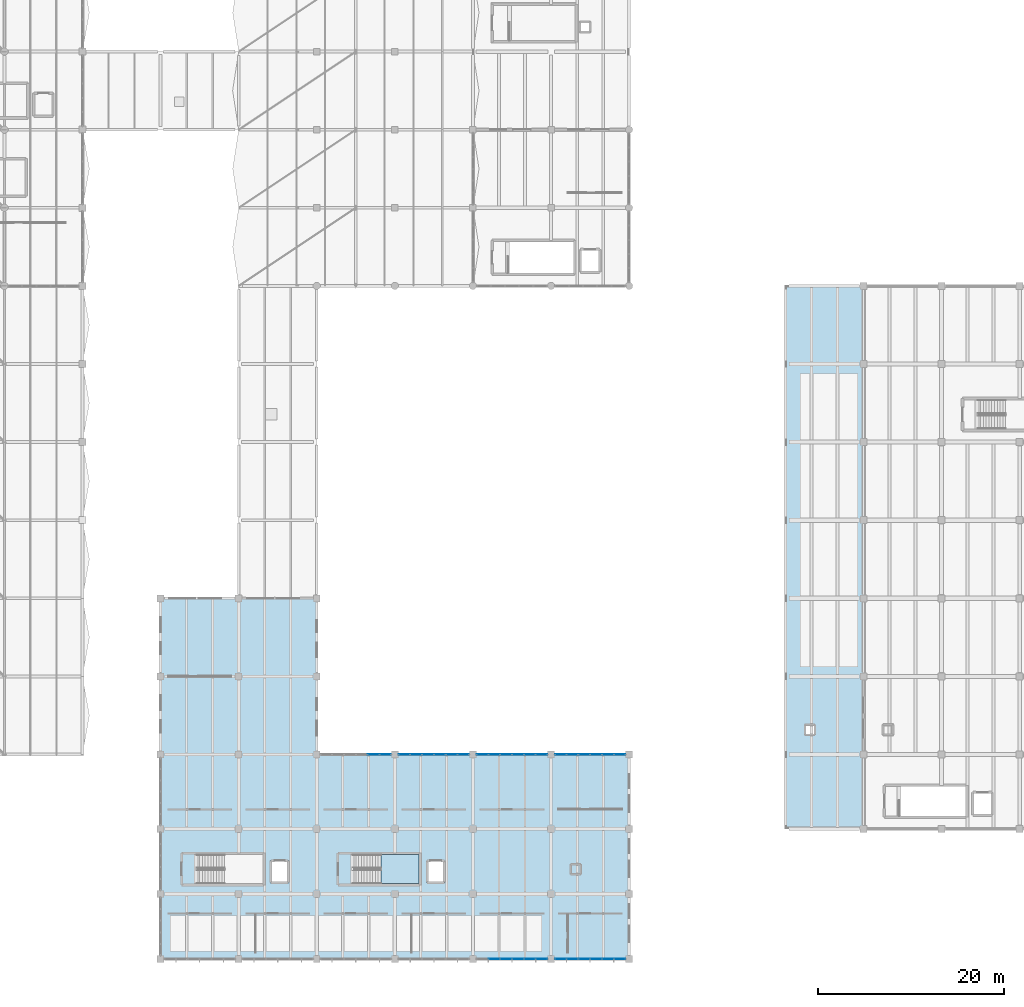
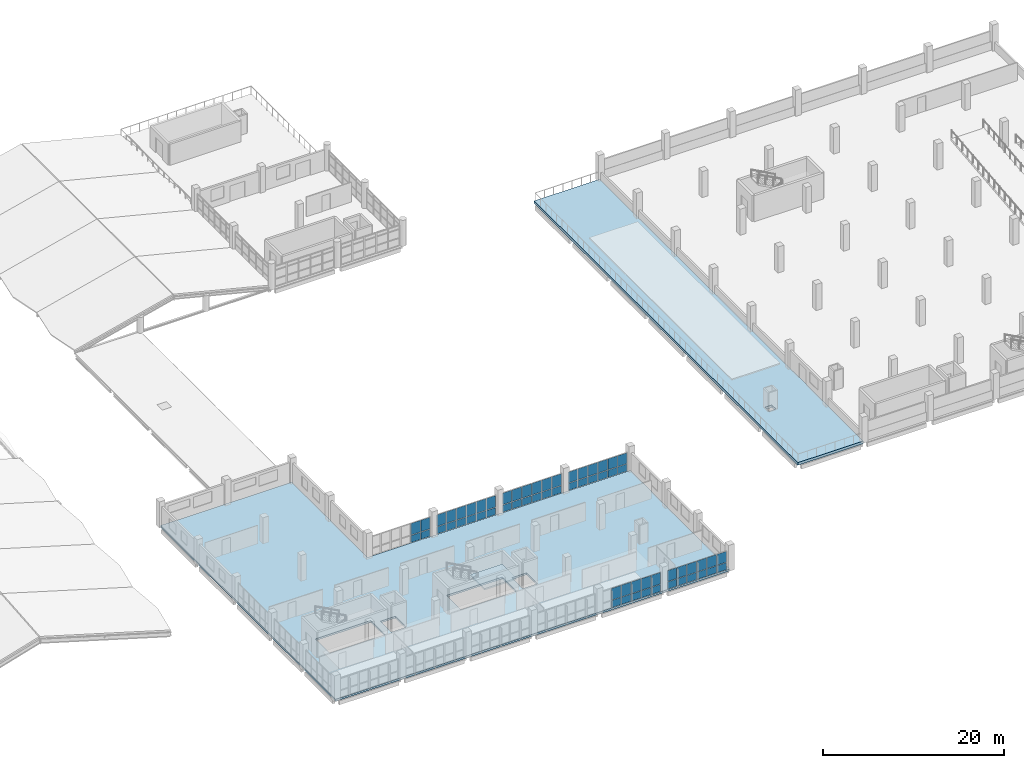
# One storey, part 66 of 95: 62 plates, 3 slabs, 7 elements without a shape of their own.
"""IFC4 building model written with IfcOpenShell, lengths in metres."""

from ifc_helpers import new_model, si_unit, direction, frame, origin, origin_2d, place, context, subcontext, project, spatial, polyline, rectangle, outline, extrude, material, layer, layer_set, type_object, element, aggregate, save


model = new_model("IFC4")

# Units and contexts
model_context = context("Model", 3, precision=1e-05, world=origin(), true_north=direction((0.0, 1.0)))
body_context = subcontext(model_context, "Body", "Model", "MODEL_VIEW")
ifc_project = project(units=[si_unit("LENGTHUNIT", "METRE"), si_unit("AREAUNIT", "SQUARE_METRE"), si_unit("VOLUMEUNIT", "CUBIC_METRE"), si_unit("PLANEANGLEUNIT", "RADIAN"), si_unit("MASSUNIT", "GRAM", prefix="KILO"), si_unit("THERMODYNAMICTEMPERATUREUNIT", "KELVIN"), si_unit("POWERUNIT", "WATT")], contexts=[model_context])

# Site, building, storey
site_placement = place(None, origin())
site = spatial("IfcSite", under=ifc_project, at=site_placement, CompositionType="ELEMENT")
building_placement = place(site_placement, origin())
building = spatial("IfcBuilding", under=site, at=building_placement, Name="Mavoryth Pier Ferry Terminal", CompositionType="ELEMENT")
storey_placement = place(building_placement, frame((0.0, 0.0, 9.60009765625)))
storey = spatial("IfcBuildingStorey", under=building, at=storey_placement, Name="L02", CompositionType="ELEMENT", Elevation=9.60009765625)

# Curtain wall, plates
ifc_material_1 = material(Name="Anodised Aluminium and Solar-Control Low-E Glass", Category="aluminium")
ifc_layer_1 = layer(ifc_material_1, 0.239990234375, Name="Anodised Aluminium and Solar-Control Low-E Glass", Category="aluminium")
ifc_layer_set_1 = layer_set([ifc_layer_1], Name="Anodised Aluminium and Solar-Control Low-E Glass - CW-Operations-Mod1200")
curtain_wall_type = type_object("IfcCurtainWallType", Name="CW-Operations-Mod1200", PredefinedType="USERDEFINED", material=ifc_layer_set_1)
curtain_wall_1_placement = place(storey_placement, origin())
curtain_wall_1 = element("IfcCurtainWall", 1, at=curtain_wall_1_placement, inside=storey, type_object=curtain_wall_type, Name="Curtain Wall CW-0222-126", ObjectType="UNITISED CURTAIN WALL", PredefinedType="USERDEFINED")
ifc_material_2 = material(Name="Solar-Control Low-E Laminated Double Glazing", Category="glass")
ifc_layer_2 = layer(ifc_material_2, 0.02392578125, Name="Solar-Control Low-E Laminated Double Glazing", Category="glass")
ifc_layer_set_2 = layer_set([ifc_layer_2], Name="Solar-Control Low-E Laminated Double Glazing - Panel-LowE-DGU-24")
plate_type = type_object("IfcPlateType", Name="Panel-LowE-DGU-24", PredefinedType="CURTAIN_PANEL", material=ifc_layer_set_2)
plate_1_placement = place(storey_placement, frame((66.172607421875, 22.0, 0.059814453125), z_axis=(0.0, 0.0, 1.0), x_axis=(-1.0, 0.0, 0.0)))
plate_1 = element("IfcPlate", 2, at=plate_1_placement, type_object=plate_type, Name="CW06 panel 1.1", PredefinedType="CURTAIN_PANEL", context=body_context, shape_type="SweptSolid", body=[
    extrude(rectangle(XDim=1.18505859375, YDim=0.02392578125, at=origin_2d()), origin(), (0.0, 0.0, 1.0), 0.9599609375),
])
plate_2_placement = place(storey_placement, frame((66.172607421875, 22.0, 1.079833984375), z_axis=(0.0, 0.0, 1.0), x_axis=(-1.0, 0.0, 0.0)))
plate_2 = element("IfcPlate", 3, at=plate_2_placement, type_object=plate_type, Name="CW06 panel 1.2", PredefinedType="CURTAIN_PANEL", context=body_context, shape_type="SweptSolid", body=[
    extrude(rectangle(XDim=1.18505859375, YDim=0.02392578125, at=origin_2d()), origin(), (0.0, 0.0, 1.0), 1.56494140625),
])
plate_3_placement = place(storey_placement, frame((64.91259765625, 22.0, 0.059814453125), z_axis=(0.0, 0.0, 1.0), x_axis=(-1.0, 0.0, 0.0)))
plate_3 = element("IfcPlate", 4, at=plate_3_placement, type_object=plate_type, Name="CW06 panel 2.1", PredefinedType="CURTAIN_PANEL", context=body_context, shape_type="SweptSolid", body=[
    extrude(rectangle(XDim=1.215087890625, YDim=0.02392578125, at=origin_2d()), origin(), (0.0, 0.0, 1.0), 0.9599609375),
])
plate_4_placement = place(storey_placement, frame((64.91259765625, 22.0, 1.079833984375), z_axis=(0.0, 0.0, 1.0), x_axis=(-1.0, 0.0, 0.0)))
plate_4 = element("IfcPlate", 5, at=plate_4_placement, type_object=plate_type, Name="CW06 panel 2.2", PredefinedType="CURTAIN_PANEL", context=body_context, shape_type="SweptSolid", body=[
    extrude(rectangle(XDim=1.215087890625, YDim=0.02392578125, at=origin_2d()), origin(), (0.0, 0.0, 1.0), 1.56494140625),
])
aggregate(curtain_wall_1, [plate_1, plate_2, plate_3, plate_4])

curtain_wall_2_placement = place(storey_placement, origin())
curtain_wall_2 = element("IfcCurtainWall", 6, at=curtain_wall_2_placement, inside=storey, type_object=curtain_wall_type, Name="Curtain Wall CW-0222-128", ObjectType="UNITISED CURTAIN WALL", PredefinedType="USERDEFINED")
plate_5_placement = place(storey_placement, frame((74.572509765625, 22.0, 0.059814453125), z_axis=(0.0, 0.0, 1.0), x_axis=(-1.0, 0.0, 0.0)))
plate_5 = element("IfcPlate", 7, at=plate_5_placement, type_object=plate_type, Name="CW06 panel 1.1", PredefinedType="CURTAIN_PANEL", context=body_context, shape_type="SweptSolid", body=[
    extrude(rectangle(XDim=1.18505859375, YDim=0.02392578125, at=origin_2d()), origin(), (0.0, 0.0, 1.0), 0.9599609375),
])
plate_6_placement = place(storey_placement, frame((74.572509765625, 22.0, 1.079833984375), z_axis=(0.0, 0.0, 1.0), x_axis=(-1.0, 0.0, 0.0)))
plate_6 = element("IfcPlate", 8, at=plate_6_placement, type_object=plate_type, Name="CW06 panel 1.2", PredefinedType="CURTAIN_PANEL", context=body_context, shape_type="SweptSolid", body=[
    extrude(rectangle(XDim=1.18505859375, YDim=0.02392578125, at=origin_2d()), origin(), (0.0, 0.0, 1.0), 1.56494140625),
])
plate_7_placement = place(storey_placement, frame((73.3125, 22.0, 0.059814453125), z_axis=(0.0, 0.0, 1.0), x_axis=(-1.0, 0.0, 0.0)))
plate_7 = element("IfcPlate", 9, at=plate_7_placement, type_object=plate_type, Name="CW06 panel 2.1", PredefinedType="CURTAIN_PANEL", context=body_context, shape_type="SweptSolid", body=[
    extrude(rectangle(XDim=1.215087890625, YDim=0.02392578125, at=origin_2d()), origin(), (0.0, 0.0, 1.0), 0.9599609375),
])
plate_8_placement = place(storey_placement, frame((73.3125, 22.0, 1.079833984375), z_axis=(0.0, 0.0, 1.0), x_axis=(-1.0, 0.0, 0.0)))
plate_8 = element("IfcPlate", 10, at=plate_8_placement, type_object=plate_type, Name="CW06 panel 2.2", PredefinedType="CURTAIN_PANEL", context=body_context, shape_type="SweptSolid", body=[
    extrude(rectangle(XDim=1.215087890625, YDim=0.02392578125, at=origin_2d()), origin(), (0.0, 0.0, 1.0), 1.56494140625),
])
plate_9_placement = place(storey_placement, frame((72.03759765625, 22.0, 0.059814453125), z_axis=(0.0, 0.0, 1.0), x_axis=(-1.0, 0.0, 0.0)))
plate_9 = element("IfcPlate", 11, at=plate_9_placement, type_object=plate_type, Name="CW06 panel 3.1", PredefinedType="CURTAIN_PANEL", context=body_context, shape_type="SweptSolid", body=[
    extrude(rectangle(XDim=1.215087890625, YDim=0.02392578125, at=origin_2d()), origin(), (0.0, 0.0, 1.0), 0.9599609375),
])
plate_10_placement = place(storey_placement, frame((72.03759765625, 22.0, 1.079833984375), z_axis=(0.0, 0.0, 1.0), x_axis=(-1.0, 0.0, 0.0)))
plate_10 = element("IfcPlate", 12, at=plate_10_placement, type_object=plate_type, Name="CW06 panel 3.2", PredefinedType="CURTAIN_PANEL", context=body_context, shape_type="SweptSolid", body=[
    extrude(rectangle(XDim=1.215087890625, YDim=0.02392578125, at=origin_2d()), origin(), (0.0, 0.0, 1.0), 1.56494140625),
])
plate_11_placement = place(storey_placement, frame((70.762451171875, 22.0, 0.059814453125), z_axis=(0.0, 0.0, 1.0), x_axis=(-1.0, 0.0, 0.0)))
plate_11 = element("IfcPlate", 13, at=plate_11_placement, type_object=plate_type, Name="CW06 panel 4.1", PredefinedType="CURTAIN_PANEL", context=body_context, shape_type="SweptSolid", body=[
    extrude(rectangle(XDim=1.215087890625, YDim=0.02392578125, at=origin_2d()), origin(), (0.0, 0.0, 1.0), 0.9599609375),
])
plate_12_placement = place(storey_placement, frame((70.762451171875, 22.0, 1.079833984375), z_axis=(0.0, 0.0, 1.0), x_axis=(-1.0, 0.0, 0.0)))
plate_12 = element("IfcPlate", 14, at=plate_12_placement, type_object=plate_type, Name="CW06 panel 4.2", PredefinedType="CURTAIN_PANEL", context=body_context, shape_type="SweptSolid", body=[
    extrude(rectangle(XDim=1.215087890625, YDim=0.02392578125, at=origin_2d()), origin(), (0.0, 0.0, 1.0), 1.56494140625),
])
plate_13_placement = place(storey_placement, frame((69.487548828125, 22.0, 0.059814453125), z_axis=(0.0, 0.0, 1.0), x_axis=(-1.0, 0.0, 0.0)))
plate_13 = element("IfcPlate", 15, at=plate_13_placement, type_object=plate_type, Name="CW06 panel 5.1", PredefinedType="CURTAIN_PANEL", context=body_context, shape_type="SweptSolid", body=[
    extrude(rectangle(XDim=1.215087890625, YDim=0.02392578125, at=origin_2d()), origin(), (0.0, 0.0, 1.0), 0.9599609375),
])
plate_14_placement = place(storey_placement, frame((69.487548828125, 22.0, 1.079833984375), z_axis=(0.0, 0.0, 1.0), x_axis=(-1.0, 0.0, 0.0)))
plate_14 = element("IfcPlate", 16, at=plate_14_placement, type_object=plate_type, Name="CW06 panel 5.2", PredefinedType="CURTAIN_PANEL", context=body_context, shape_type="SweptSolid", body=[
    extrude(rectangle(XDim=1.215087890625, YDim=0.02392578125, at=origin_2d()), origin(), (0.0, 0.0, 1.0), 1.56494140625),
])
plate_15_placement = place(storey_placement, frame((68.2275390625, 22.0, 0.059814453125), z_axis=(0.0, 0.0, 1.0), x_axis=(-1.0, 0.0, 0.0)))
plate_15 = element("IfcPlate", 17, at=plate_15_placement, type_object=plate_type, Name="CW06 panel 6.1", PredefinedType="CURTAIN_PANEL", context=body_context, shape_type="SweptSolid", body=[
    extrude(rectangle(XDim=1.18505859375, YDim=0.02392578125, at=origin_2d()), origin(), (0.0, 0.0, 1.0), 0.9599609375),
])
plate_16_placement = place(storey_placement, frame((68.2275390625, 22.0, 1.079833984375), z_axis=(0.0, 0.0, 1.0), x_axis=(-1.0, 0.0, 0.0)))
plate_16 = element("IfcPlate", 18, at=plate_16_placement, type_object=plate_type, Name="CW06 panel 6.2", PredefinedType="CURTAIN_PANEL", context=body_context, shape_type="SweptSolid", body=[
    extrude(rectangle(XDim=1.18505859375, YDim=0.02392578125, at=origin_2d()), origin(), (0.0, 0.0, 1.0), 1.56494140625),
])
aggregate(curtain_wall_2, [plate_5, plate_6, plate_7, plate_8, plate_9, plate_10, plate_11, plate_12, plate_13, plate_14, plate_15, plate_16])

curtain_wall_3_placement = place(storey_placement, origin())
curtain_wall_3 = element("IfcCurtainWall", 19, at=curtain_wall_3_placement, inside=storey, type_object=curtain_wall_type, Name="Curtain Wall CW-0222-129", ObjectType="UNITISED CURTAIN WALL", PredefinedType="USERDEFINED")
plate_17_placement = place(storey_placement, frame((77.887451171875, 0.0, 0.059814453125), z_axis=(0.0, 0.0, 1.0), x_axis=(1.0, 0.0, 0.0)))
plate_17 = element("IfcPlate", 20, at=plate_17_placement, type_object=plate_type, Name="CW06 panel 2.1", PredefinedType="CURTAIN_PANEL", context=body_context, shape_type="SweptSolid", body=[
    extrude(rectangle(XDim=1.215087890625, YDim=0.02392578125, at=origin_2d()), origin(), (0.0, 0.0, 1.0), 0.9599609375),
])
plate_18_placement = place(storey_placement, frame((77.887451171875, 0.0, 1.079833984375), z_axis=(0.0, 0.0, 1.0), x_axis=(1.0, 0.0, 0.0)))
plate_18 = element("IfcPlate", 21, at=plate_18_placement, type_object=plate_type, Name="CW06 panel 2.2", PredefinedType="CURTAIN_PANEL", context=body_context, shape_type="SweptSolid", body=[
    extrude(rectangle(XDim=1.215087890625, YDim=0.02392578125, at=origin_2d()), origin(), (0.0, 0.0, 1.0), 1.56494140625),
])
plate_19_placement = place(storey_placement, frame((79.16259765625, 0.0, 0.059814453125), z_axis=(0.0, 0.0, 1.0), x_axis=(1.0, 0.0, 0.0)))
plate_19 = element("IfcPlate", 22, at=plate_19_placement, type_object=plate_type, Name="CW06 panel 3.1", PredefinedType="CURTAIN_PANEL", context=body_context, shape_type="SweptSolid", body=[
    extrude(rectangle(XDim=1.215087890625, YDim=0.02392578125, at=origin_2d()), origin(), (0.0, 0.0, 1.0), 0.9599609375),
])
plate_20_placement = place(storey_placement, frame((79.16259765625, 0.0, 1.079833984375), z_axis=(0.0, 0.0, 1.0), x_axis=(1.0, 0.0, 0.0)))
plate_20 = element("IfcPlate", 23, at=plate_20_placement, type_object=plate_type, Name="CW06 panel 3.2", PredefinedType="CURTAIN_PANEL", context=body_context, shape_type="SweptSolid", body=[
    extrude(rectangle(XDim=1.215087890625, YDim=0.02392578125, at=origin_2d()), origin(), (0.0, 0.0, 1.0), 1.56494140625),
])
plate_21_placement = place(storey_placement, frame((80.4375, 0.0, 0.059814453125), z_axis=(0.0, 0.0, 1.0), x_axis=(1.0, 0.0, 0.0)))
plate_21 = element("IfcPlate", 24, at=plate_21_placement, type_object=plate_type, Name="CW06 panel 4.1", PredefinedType="CURTAIN_PANEL", context=body_context, shape_type="SweptSolid", body=[
    extrude(rectangle(XDim=1.215087890625, YDim=0.02392578125, at=origin_2d()), origin(), (0.0, 0.0, 1.0), 0.9599609375),
])
plate_22_placement = place(storey_placement, frame((80.4375, 0.0, 1.079833984375), z_axis=(0.0, 0.0, 1.0), x_axis=(1.0, 0.0, 0.0)))
plate_22 = element("IfcPlate", 25, at=plate_22_placement, type_object=plate_type, Name="CW06 panel 4.2", PredefinedType="CURTAIN_PANEL", context=body_context, shape_type="SweptSolid", body=[
    extrude(rectangle(XDim=1.215087890625, YDim=0.02392578125, at=origin_2d()), origin(), (0.0, 0.0, 1.0), 1.56494140625),
])
plate_23_placement = place(storey_placement, frame((81.71240234375, 0.0, 0.059814453125), z_axis=(0.0, 0.0, 1.0), x_axis=(1.0, 0.0, 0.0)))
plate_23 = element("IfcPlate", 26, at=plate_23_placement, type_object=plate_type, Name="CW06 panel 5.1", PredefinedType="CURTAIN_PANEL", context=body_context, shape_type="SweptSolid", body=[
    extrude(rectangle(XDim=1.215087890625, YDim=0.02392578125, at=origin_2d()), origin(), (0.0, 0.0, 1.0), 0.9599609375),
])
plate_24_placement = place(storey_placement, frame((81.71240234375, 0.0, 1.079833984375), z_axis=(0.0, 0.0, 1.0), x_axis=(1.0, 0.0, 0.0)))
plate_24 = element("IfcPlate", 27, at=plate_24_placement, type_object=plate_type, Name="CW06 panel 5.2", PredefinedType="CURTAIN_PANEL", context=body_context, shape_type="SweptSolid", body=[
    extrude(rectangle(XDim=1.215087890625, YDim=0.02392578125, at=origin_2d()), origin(), (0.0, 0.0, 1.0), 1.56494140625),
])
plate_25_placement = place(storey_placement, frame((82.972412109375, 0.0, 0.059814453125), z_axis=(0.0, 0.0, 1.0), x_axis=(1.0, 0.0, 0.0)))
plate_25 = element("IfcPlate", 28, at=plate_25_placement, type_object=plate_type, Name="CW06 panel 6.1", PredefinedType="CURTAIN_PANEL", context=body_context, shape_type="SweptSolid", body=[
    extrude(rectangle(XDim=1.18505859375, YDim=0.02392578125, at=origin_2d()), origin(), (0.0, 0.0, 1.0), 0.9599609375),
])
plate_26_placement = place(storey_placement, frame((82.972412109375, 0.0, 1.079833984375), z_axis=(0.0, 0.0, 1.0), x_axis=(1.0, 0.0, 0.0)))
plate_26 = element("IfcPlate", 29, at=plate_26_placement, type_object=plate_type, Name="CW06 panel 6.2", PredefinedType="CURTAIN_PANEL", context=body_context, shape_type="SweptSolid", body=[
    extrude(rectangle(XDim=1.18505859375, YDim=0.02392578125, at=origin_2d()), origin(), (0.0, 0.0, 1.0), 1.56494140625),
])
aggregate(curtain_wall_3, [plate_17, plate_18, plate_19, plate_20, plate_21, plate_22, plate_23, plate_24, plate_25, plate_26])

curtain_wall_4_placement = place(storey_placement, origin())
curtain_wall_4 = element("IfcCurtainWall", 30, at=curtain_wall_4_placement, inside=storey, type_object=curtain_wall_type, Name="Curtain Wall CW-0222-130", ObjectType="UNITISED CURTAIN WALL", PredefinedType="USERDEFINED")
plate_27_placement = place(storey_placement, frame((82.972412109375, 22.0, 0.059814453125), z_axis=(0.0, 0.0, 1.0), x_axis=(-1.0, 0.0, 0.0)))
plate_27 = element("IfcPlate", 31, at=plate_27_placement, type_object=plate_type, Name="CW06 panel 1.1", PredefinedType="CURTAIN_PANEL", context=body_context, shape_type="SweptSolid", body=[
    extrude(rectangle(XDim=1.18505859375, YDim=0.02392578125, at=origin_2d()), origin(), (0.0, 0.0, 1.0), 0.9599609375),
])
plate_28_placement = place(storey_placement, frame((82.972412109375, 22.0, 1.079833984375), z_axis=(0.0, 0.0, 1.0), x_axis=(-1.0, 0.0, 0.0)))
plate_28 = element("IfcPlate", 32, at=plate_28_placement, type_object=plate_type, Name="CW06 panel 1.2", PredefinedType="CURTAIN_PANEL", context=body_context, shape_type="SweptSolid", body=[
    extrude(rectangle(XDim=1.18505859375, YDim=0.02392578125, at=origin_2d()), origin(), (0.0, 0.0, 1.0), 1.56494140625),
])
plate_29_placement = place(storey_placement, frame((81.71240234375, 22.0, 0.059814453125), z_axis=(0.0, 0.0, 1.0), x_axis=(-1.0, 0.0, 0.0)))
plate_29 = element("IfcPlate", 33, at=plate_29_placement, type_object=plate_type, Name="CW06 panel 2.1", PredefinedType="CURTAIN_PANEL", context=body_context, shape_type="SweptSolid", body=[
    extrude(rectangle(XDim=1.215087890625, YDim=0.02392578125, at=origin_2d()), origin(), (0.0, 0.0, 1.0), 0.9599609375),
])
plate_30_placement = place(storey_placement, frame((81.71240234375, 22.0, 1.079833984375), z_axis=(0.0, 0.0, 1.0), x_axis=(-1.0, 0.0, 0.0)))
plate_30 = element("IfcPlate", 34, at=plate_30_placement, type_object=plate_type, Name="CW06 panel 2.2", PredefinedType="CURTAIN_PANEL", context=body_context, shape_type="SweptSolid", body=[
    extrude(rectangle(XDim=1.215087890625, YDim=0.02392578125, at=origin_2d()), origin(), (0.0, 0.0, 1.0), 1.56494140625),
])
plate_31_placement = place(storey_placement, frame((80.4375, 22.0, 0.059814453125), z_axis=(0.0, 0.0, 1.0), x_axis=(-1.0, 0.0, 0.0)))
plate_31 = element("IfcPlate", 35, at=plate_31_placement, type_object=plate_type, Name="CW06 panel 3.1", PredefinedType="CURTAIN_PANEL", context=body_context, shape_type="SweptSolid", body=[
    extrude(rectangle(XDim=1.215087890625, YDim=0.02392578125, at=origin_2d()), origin(), (0.0, 0.0, 1.0), 0.9599609375),
])
plate_32_placement = place(storey_placement, frame((80.4375, 22.0, 1.079833984375), z_axis=(0.0, 0.0, 1.0), x_axis=(-1.0, 0.0, 0.0)))
plate_32 = element("IfcPlate", 36, at=plate_32_placement, type_object=plate_type, Name="CW06 panel 3.2", PredefinedType="CURTAIN_PANEL", context=body_context, shape_type="SweptSolid", body=[
    extrude(rectangle(XDim=1.215087890625, YDim=0.02392578125, at=origin_2d()), origin(), (0.0, 0.0, 1.0), 1.56494140625),
])
plate_33_placement = place(storey_placement, frame((79.16259765625, 22.0, 0.059814453125), z_axis=(0.0, 0.0, 1.0), x_axis=(-1.0, 0.0, 0.0)))
plate_33 = element("IfcPlate", 37, at=plate_33_placement, type_object=plate_type, Name="CW06 panel 4.1", PredefinedType="CURTAIN_PANEL", context=body_context, shape_type="SweptSolid", body=[
    extrude(rectangle(XDim=1.215087890625, YDim=0.02392578125, at=origin_2d()), origin(), (0.0, 0.0, 1.0), 0.9599609375),
])
plate_34_placement = place(storey_placement, frame((79.16259765625, 22.0, 1.079833984375), z_axis=(0.0, 0.0, 1.0), x_axis=(-1.0, 0.0, 0.0)))
plate_34 = element("IfcPlate", 38, at=plate_34_placement, type_object=plate_type, Name="CW06 panel 4.2", PredefinedType="CURTAIN_PANEL", context=body_context, shape_type="SweptSolid", body=[
    extrude(rectangle(XDim=1.215087890625, YDim=0.02392578125, at=origin_2d()), origin(), (0.0, 0.0, 1.0), 1.56494140625),
])
plate_35_placement = place(storey_placement, frame((77.887451171875, 22.0, 0.059814453125), z_axis=(0.0, 0.0, 1.0), x_axis=(-1.0, 0.0, 0.0)))
plate_35 = element("IfcPlate", 39, at=plate_35_placement, type_object=plate_type, Name="CW06 panel 5.1", PredefinedType="CURTAIN_PANEL", context=body_context, shape_type="SweptSolid", body=[
    extrude(rectangle(XDim=1.215087890625, YDim=0.02392578125, at=origin_2d()), origin(), (0.0, 0.0, 1.0), 0.9599609375),
])
plate_36_placement = place(storey_placement, frame((77.887451171875, 22.0, 1.079833984375), z_axis=(0.0, 0.0, 1.0), x_axis=(-1.0, 0.0, 0.0)))
plate_36 = element("IfcPlate", 40, at=plate_36_placement, type_object=plate_type, Name="CW06 panel 5.2", PredefinedType="CURTAIN_PANEL", context=body_context, shape_type="SweptSolid", body=[
    extrude(rectangle(XDim=1.215087890625, YDim=0.02392578125, at=origin_2d()), origin(), (0.0, 0.0, 1.0), 1.56494140625),
])
plate_37_placement = place(storey_placement, frame((76.62744140625, 22.0, 0.059814453125), z_axis=(0.0, 0.0, 1.0), x_axis=(-1.0, 0.0, 0.0)))
plate_37 = element("IfcPlate", 41, at=plate_37_placement, type_object=plate_type, Name="CW06 panel 6.1", PredefinedType="CURTAIN_PANEL", context=body_context, shape_type="SweptSolid", body=[
    extrude(rectangle(XDim=1.18505859375, YDim=0.02392578125, at=origin_2d()), origin(), (0.0, 0.0, 1.0), 0.9599609375),
])
plate_38_placement = place(storey_placement, frame((76.62744140625, 22.0, 1.079833984375), z_axis=(0.0, 0.0, 1.0), x_axis=(-1.0, 0.0, 0.0)))
plate_38 = element("IfcPlate", 42, at=plate_38_placement, type_object=plate_type, Name="CW06 panel 6.2", PredefinedType="CURTAIN_PANEL", context=body_context, shape_type="SweptSolid", body=[
    extrude(rectangle(XDim=1.18505859375, YDim=0.02392578125, at=origin_2d()), origin(), (0.0, 0.0, 1.0), 1.56494140625),
])
aggregate(curtain_wall_4, [plate_27, plate_28, plate_29, plate_30, plate_31, plate_32, plate_33, plate_34, plate_35, plate_36, plate_37, plate_38])

curtain_wall_5_placement = place(storey_placement, origin())
curtain_wall_5 = element("IfcCurtainWall", 43, at=curtain_wall_5_placement, inside=storey, type_object=curtain_wall_type, Name="Curtain Wall CW-0222-131", ObjectType="UNITISED CURTAIN WALL", PredefinedType="USERDEFINED")
plate_39_placement = place(storey_placement, frame((85.027587890625, 0.0, 0.059814453125), z_axis=(0.0, 0.0, 1.0), x_axis=(1.0, 0.0, 0.0)))
plate_39 = element("IfcPlate", 44, at=plate_39_placement, type_object=plate_type, Name="CW06 panel 1.1", PredefinedType="CURTAIN_PANEL", context=body_context, shape_type="SweptSolid", body=[
    extrude(rectangle(XDim=1.18505859375, YDim=0.02392578125, at=origin_2d()), origin(), (0.0, 0.0, 1.0), 0.9599609375),
])
plate_40_placement = place(storey_placement, frame((85.027587890625, 0.0, 1.080078125), z_axis=(0.0, 0.0, 1.0), x_axis=(1.0, 0.0, 0.0)))
plate_40 = element("IfcPlate", 45, at=plate_40_placement, type_object=plate_type, Name="CW06 panel 1.2", PredefinedType="CURTAIN_PANEL", context=body_context, shape_type="SweptSolid", body=[
    extrude(rectangle(XDim=1.18505859375, YDim=0.02392578125, at=origin_2d()), origin(), (0.0, 0.0, 1.0), 1.465087890625),
])
plate_41_placement = place(storey_placement, frame((86.28759765625, 0.0, 0.059814453125), z_axis=(0.0, 0.0, 1.0), x_axis=(1.0, 0.0, 0.0)))
plate_41 = element("IfcPlate", 46, at=plate_41_placement, type_object=plate_type, Name="CW06 panel 2.1", PredefinedType="CURTAIN_PANEL", context=body_context, shape_type="SweptSolid", body=[
    extrude(rectangle(XDim=1.215087890625, YDim=0.02392578125, at=origin_2d()), origin(), (0.0, 0.0, 1.0), 0.9599609375),
])
plate_42_placement = place(storey_placement, frame((86.28759765625, 0.0, 1.080078125), z_axis=(0.0, 0.0, 1.0), x_axis=(1.0, 0.0, 0.0)))
plate_42 = element("IfcPlate", 47, at=plate_42_placement, type_object=plate_type, Name="CW06 panel 2.2", PredefinedType="CURTAIN_PANEL", context=body_context, shape_type="SweptSolid", body=[
    extrude(rectangle(XDim=1.215087890625, YDim=0.02392578125, at=origin_2d()), origin(), (0.0, 0.0, 1.0), 1.465087890625),
])
plate_43_placement = place(storey_placement, frame((87.5625, 0.0, 0.059814453125), z_axis=(0.0, 0.0, 1.0), x_axis=(1.0, 0.0, 0.0)))
plate_43 = element("IfcPlate", 48, at=plate_43_placement, type_object=plate_type, Name="CW06 panel 3.1", PredefinedType="CURTAIN_PANEL", context=body_context, shape_type="SweptSolid", body=[
    extrude(rectangle(XDim=1.215087890625, YDim=0.02392578125, at=origin_2d()), origin(), (0.0, 0.0, 1.0), 0.9599609375),
])
plate_44_placement = place(storey_placement, frame((87.5625, 0.0, 1.080078125), z_axis=(0.0, 0.0, 1.0), x_axis=(1.0, 0.0, 0.0)))
plate_44 = element("IfcPlate", 49, at=plate_44_placement, type_object=plate_type, Name="CW06 panel 3.2", PredefinedType="CURTAIN_PANEL", context=body_context, shape_type="SweptSolid", body=[
    extrude(rectangle(XDim=1.215087890625, YDim=0.02392578125, at=origin_2d()), origin(), (0.0, 0.0, 1.0), 1.465087890625),
])
plate_45_placement = place(storey_placement, frame((88.83740234375, 0.0, 0.059814453125), z_axis=(0.0, 0.0, 1.0), x_axis=(1.0, 0.0, 0.0)))
plate_45 = element("IfcPlate", 50, at=plate_45_placement, type_object=plate_type, Name="CW06 panel 4.1", PredefinedType="CURTAIN_PANEL", context=body_context, shape_type="SweptSolid", body=[
    extrude(rectangle(XDim=1.215087890625, YDim=0.02392578125, at=origin_2d()), origin(), (0.0, 0.0, 1.0), 0.9599609375),
])
plate_46_placement = place(storey_placement, frame((88.83740234375, 0.0, 1.080078125), z_axis=(0.0, 0.0, 1.0), x_axis=(1.0, 0.0, 0.0)))
plate_46 = element("IfcPlate", 51, at=plate_46_placement, type_object=plate_type, Name="CW06 panel 4.2", PredefinedType="CURTAIN_PANEL", context=body_context, shape_type="SweptSolid", body=[
    extrude(rectangle(XDim=1.215087890625, YDim=0.02392578125, at=origin_2d()), origin(), (0.0, 0.0, 1.0), 1.465087890625),
])
plate_47_placement = place(storey_placement, frame((90.112548828125, 0.0, 0.059814453125), z_axis=(0.0, 0.0, 1.0), x_axis=(1.0, 0.0, 0.0)))
plate_47 = element("IfcPlate", 52, at=plate_47_placement, type_object=plate_type, Name="CW06 panel 5.1", PredefinedType="CURTAIN_PANEL", context=body_context, shape_type="SweptSolid", body=[
    extrude(rectangle(XDim=1.215087890625, YDim=0.02392578125, at=origin_2d()), origin(), (0.0, 0.0, 1.0), 0.9599609375),
])
plate_48_placement = place(storey_placement, frame((90.112548828125, 0.0, 1.080078125), z_axis=(0.0, 0.0, 1.0), x_axis=(1.0, 0.0, 0.0)))
plate_48 = element("IfcPlate", 53, at=plate_48_placement, type_object=plate_type, Name="CW06 panel 5.2", PredefinedType="CURTAIN_PANEL", context=body_context, shape_type="SweptSolid", body=[
    extrude(rectangle(XDim=1.215087890625, YDim=0.02392578125, at=origin_2d()), origin(), (0.0, 0.0, 1.0), 1.465087890625),
])
plate_49_placement = place(storey_placement, frame((91.37255859375, 0.0, 0.059814453125), z_axis=(0.0, 0.0, 1.0), x_axis=(1.0, 0.0, 0.0)))
plate_49 = element("IfcPlate", 54, at=plate_49_placement, type_object=plate_type, Name="CW06 panel 6.1", PredefinedType="CURTAIN_PANEL", context=body_context, shape_type="SweptSolid", body=[
    extrude(rectangle(XDim=1.18505859375, YDim=0.02392578125, at=origin_2d()), origin(), (0.0, 0.0, 1.0), 0.9599609375),
])
plate_50_placement = place(storey_placement, frame((91.37255859375, 0.0, 1.080078125), z_axis=(0.0, 0.0, 1.0), x_axis=(1.0, 0.0, 0.0)))
plate_50 = element("IfcPlate", 55, at=plate_50_placement, type_object=plate_type, Name="CW06 panel 6.2", PredefinedType="CURTAIN_PANEL", context=body_context, shape_type="SweptSolid", body=[
    extrude(rectangle(XDim=1.18505859375, YDim=0.02392578125, at=origin_2d()), origin(), (0.0, 0.0, 1.0), 1.465087890625),
])
aggregate(curtain_wall_5, [plate_39, plate_40, plate_41, plate_42, plate_43, plate_44, plate_45, plate_46, plate_47, plate_48, plate_49, plate_50])

curtain_wall_6_placement = place(storey_placement, origin())
curtain_wall_6 = element("IfcCurtainWall", 56, at=curtain_wall_6_placement, inside=storey, type_object=curtain_wall_type, Name="Curtain Wall CW-0222-132", ObjectType="UNITISED CURTAIN WALL", PredefinedType="USERDEFINED")
plate_51_placement = place(storey_placement, frame((91.37255859375, 22.0, 0.059814453125), z_axis=(0.0, 0.0, 1.0), x_axis=(-1.0, 0.0, 0.0)))
plate_51 = element("IfcPlate", 57, at=plate_51_placement, type_object=plate_type, Name="CW06 panel 1.1", PredefinedType="CURTAIN_PANEL", context=body_context, shape_type="SweptSolid", body=[
    extrude(rectangle(XDim=1.18505859375, YDim=0.02392578125, at=origin_2d()), origin(), (0.0, 0.0, 1.0), 0.9599609375),
])
plate_52_placement = place(storey_placement, frame((91.37255859375, 22.0, 1.080078125), z_axis=(0.0, 0.0, 1.0), x_axis=(-1.0, 0.0, 0.0)))
plate_52 = element("IfcPlate", 58, at=plate_52_placement, type_object=plate_type, Name="CW06 panel 1.2", PredefinedType="CURTAIN_PANEL", context=body_context, shape_type="SweptSolid", body=[
    extrude(rectangle(XDim=1.18505859375, YDim=0.02392578125, at=origin_2d()), origin(), (0.0, 0.0, 1.0), 1.465087890625),
])
plate_53_placement = place(storey_placement, frame((90.112548828125, 22.0, 0.059814453125), z_axis=(0.0, 0.0, 1.0), x_axis=(-1.0, 0.0, 0.0)))
plate_53 = element("IfcPlate", 59, at=plate_53_placement, type_object=plate_type, Name="CW06 panel 2.1", PredefinedType="CURTAIN_PANEL", context=body_context, shape_type="SweptSolid", body=[
    extrude(rectangle(XDim=1.215087890625, YDim=0.02392578125, at=origin_2d()), origin(), (0.0, 0.0, 1.0), 0.9599609375),
])
plate_54_placement = place(storey_placement, frame((90.112548828125, 22.0, 1.080078125), z_axis=(0.0, 0.0, 1.0), x_axis=(-1.0, 0.0, 0.0)))
plate_54 = element("IfcPlate", 60, at=plate_54_placement, type_object=plate_type, Name="CW06 panel 2.2", PredefinedType="CURTAIN_PANEL", context=body_context, shape_type="SweptSolid", body=[
    extrude(rectangle(XDim=1.215087890625, YDim=0.02392578125, at=origin_2d()), origin(), (0.0, 0.0, 1.0), 1.465087890625),
])
plate_55_placement = place(storey_placement, frame((88.83740234375, 22.0, 0.059814453125), z_axis=(0.0, 0.0, 1.0), x_axis=(-1.0, 0.0, 0.0)))
plate_55 = element("IfcPlate", 61, at=plate_55_placement, type_object=plate_type, Name="CW06 panel 3.1", PredefinedType="CURTAIN_PANEL", context=body_context, shape_type="SweptSolid", body=[
    extrude(rectangle(XDim=1.215087890625, YDim=0.02392578125, at=origin_2d()), origin(), (0.0, 0.0, 1.0), 0.9599609375),
])
plate_56_placement = place(storey_placement, frame((88.83740234375, 22.0, 1.080078125), z_axis=(0.0, 0.0, 1.0), x_axis=(-1.0, 0.0, 0.0)))
plate_56 = element("IfcPlate", 62, at=plate_56_placement, type_object=plate_type, Name="CW06 panel 3.2", PredefinedType="CURTAIN_PANEL", context=body_context, shape_type="SweptSolid", body=[
    extrude(rectangle(XDim=1.215087890625, YDim=0.02392578125, at=origin_2d()), origin(), (0.0, 0.0, 1.0), 1.465087890625),
])
plate_57_placement = place(storey_placement, frame((87.5625, 22.0, 0.059814453125), z_axis=(0.0, 0.0, 1.0), x_axis=(-1.0, 0.0, 0.0)))
plate_57 = element("IfcPlate", 63, at=plate_57_placement, type_object=plate_type, Name="CW06 panel 4.1", PredefinedType="CURTAIN_PANEL", context=body_context, shape_type="SweptSolid", body=[
    extrude(rectangle(XDim=1.215087890625, YDim=0.02392578125, at=origin_2d()), origin(), (0.0, 0.0, 1.0), 0.9599609375),
])
plate_58_placement = place(storey_placement, frame((87.5625, 22.0, 1.080078125), z_axis=(0.0, 0.0, 1.0), x_axis=(-1.0, 0.0, 0.0)))
plate_58 = element("IfcPlate", 64, at=plate_58_placement, type_object=plate_type, Name="CW06 panel 4.2", PredefinedType="CURTAIN_PANEL", context=body_context, shape_type="SweptSolid", body=[
    extrude(rectangle(XDim=1.215087890625, YDim=0.02392578125, at=origin_2d()), origin(), (0.0, 0.0, 1.0), 1.465087890625),
])
plate_59_placement = place(storey_placement, frame((86.28759765625, 22.0, 0.059814453125), z_axis=(0.0, 0.0, 1.0), x_axis=(-1.0, 0.0, 0.0)))
plate_59 = element("IfcPlate", 65, at=plate_59_placement, type_object=plate_type, Name="CW06 panel 5.1", PredefinedType="CURTAIN_PANEL", context=body_context, shape_type="SweptSolid", body=[
    extrude(rectangle(XDim=1.215087890625, YDim=0.02392578125, at=origin_2d()), origin(), (0.0, 0.0, 1.0), 0.9599609375),
])
plate_60_placement = place(storey_placement, frame((86.28759765625, 22.0, 1.080078125), z_axis=(0.0, 0.0, 1.0), x_axis=(-1.0, 0.0, 0.0)))
plate_60 = element("IfcPlate", 66, at=plate_60_placement, type_object=plate_type, Name="CW06 panel 5.2", PredefinedType="CURTAIN_PANEL", context=body_context, shape_type="SweptSolid", body=[
    extrude(rectangle(XDim=1.215087890625, YDim=0.02392578125, at=origin_2d()), origin(), (0.0, 0.0, 1.0), 1.465087890625),
])
plate_61_placement = place(storey_placement, frame((85.027587890625, 22.0, 0.059814453125), z_axis=(0.0, 0.0, 1.0), x_axis=(-1.0, 0.0, 0.0)))
plate_61 = element("IfcPlate", 67, at=plate_61_placement, type_object=plate_type, Name="CW06 panel 6.1", PredefinedType="CURTAIN_PANEL", context=body_context, shape_type="SweptSolid", body=[
    extrude(rectangle(XDim=1.18505859375, YDim=0.02392578125, at=origin_2d()), origin(), (0.0, 0.0, 1.0), 0.9599609375),
])
plate_62_placement = place(storey_placement, frame((85.027587890625, 22.0, 1.080078125), z_axis=(0.0, 0.0, 1.0), x_axis=(-1.0, 0.0, 0.0)))
plate_62 = element("IfcPlate", 68, at=plate_62_placement, type_object=plate_type, Name="CW06 panel 6.2", PredefinedType="CURTAIN_PANEL", context=body_context, shape_type="SweptSolid", body=[
    extrude(rectangle(XDim=1.18505859375, YDim=0.02392578125, at=origin_2d()), origin(), (0.0, 0.0, 1.0), 1.465087890625),
])
aggregate(curtain_wall_6, [plate_51, plate_52, plate_53, plate_54, plate_55, plate_56, plate_57, plate_58, plate_59, plate_60, plate_61, plate_62])

# Slab
ifc_material_3 = material(Name="Concrete C35/45", Category="concrete")
ifc_layer_3 = layer(ifc_material_3, 0.260009765625, Name="Concrete C35/45", Category="concrete")
ifc_layer_set_3 = layer_set([ifc_layer_3], Name="Concrete C35/45 - Slab-Floor-Operations-260")
slab_type_1 = type_object("IfcSlabType", Name="Slab-Floor-Operations-260", PredefinedType="FLOOR", material=ifc_layer_set_3)
slab_1_placement = place(storey_placement, frame((0.0, 0.0, -0.260009765625)))
element("IfcSlab", 69, at=slab_1_placement, inside=storey, type_object=slab_type_1, Name="Slab SLB-V5-L02", PredefinedType="FLOOR", context=body_context, shape_type="SweptSolid", body=[
    extrude(outline(polyline([(42.0, 0.0), (92.39990234375, 0.0), (92.39990234375, 22.0), (58.800048828125, 22.0), (58.800048828125, 38.800048828125), (42.0, 38.800048828125), (42.0, 0.0)]), holes=[polyline([(45.89990234375, 8.10009765625), (53.0, 8.10009765625), (53.0, 11.25), (45.89990234375, 11.25), (45.89990234375, 8.10009765625)]), polyline([(62.699951171875, 8.10009765625), (69.800048828125, 8.10009765625), (69.800048828125, 11.25), (62.699951171875, 11.25), (62.699951171875, 8.10009765625)]), polyline([(53.85009765625, 8.199951171875), (55.75, 8.199951171875), (55.75, 10.60009765625), (53.85009765625, 10.60009765625), (53.85009765625, 8.199951171875)]), polyline([(70.64990234375, 8.199951171875), (72.550048828125, 8.199951171875), (72.550048828125, 10.60009765625), (70.64990234375, 10.60009765625), (70.64990234375, 8.199951171875)])]), origin(), (0.0, 0.0, 1.0), 0.260009765625),
])

# Stair, slab
stair_type = type_object("IfcStairType", Name="Stair-Core-W1500", PredefinedType="TWO_STRAIGHT_RUN_STAIR", material=ifc_material_3)
stair_placement = place(storey_placement, origin())
stair = element("IfcStair", 70, at=stair_placement, inside=storey, type_object=stair_type, Name="L02 Core C5B Stair", PredefinedType="TWO_STRAIGHT_RUN_STAIR")
ifc_layer_4 = layer(ifc_material_3, 0.199951171875, Name="Concrete C35/45", Category="concrete")
ifc_layer_set_4 = layer_set([ifc_layer_4], Name="Concrete C35/45 - Slab-Landing-RC-200")
slab_type_2 = type_object("IfcSlabType", Name="Slab-Landing-RC-200", PredefinedType="LANDING", material=ifc_layer_set_4)
slab_2_placement = place(storey_placement, frame((0.0, 0.0, 1.559814453125)))
slab_2 = element("IfcSlab", 71, at=slab_2_placement, type_object=slab_type_2, Name="ST12 landing 1", PredefinedType="LANDING", context=body_context, shape_type="SweptSolid", body=[
    extrude(outline(polyline([(65.699951171875, 8.10009765625), (69.800048828125, 8.10009765625), (69.800048828125, 11.25), (65.699951171875, 11.25), (65.699951171875, 8.10009765625)])), origin(), (0.0, 0.0, 1.0), 0.2001953125),
])
aggregate(stair, [slab_2])

# Slab
ifc_layer_5 = layer(ifc_material_3, 0.360107421875, Name="Concrete C35/45", Category="concrete")
ifc_layer_set_5 = layer_set([ifc_layer_5], Name="Concrete C35/45 - Slab-Terrace-Garden-360")
slab_type_3 = type_object("IfcSlabType", Name="Slab-Terrace-Garden-360", PredefinedType="FLOOR", material=ifc_layer_set_5)
slab_3_placement = place(storey_placement, frame((0.0, 0.0, -0.360107421875)))
element("IfcSlab", 72, at=slab_3_placement, inside=storey, type_object=slab_type_3, Name="Slab SLB-V4-TER-L02", PredefinedType="FLOOR", context=body_context, shape_type="SweptSolid", body=[
    extrude(outline(polyline([(109.199951171875, 14.0), (117.60009765625, 14.0), (117.60009765625, 72.39990234375), (109.199951171875, 72.39990234375), (109.199951171875, 14.0)]), holes=[polyline([(111.39990234375, 24.199951171875), (112.300048828125, 24.199951171875), (112.300048828125, 25.10009765625), (111.39990234375, 25.10009765625), (111.39990234375, 24.199951171875)])]), origin(), (0.0, 0.0, 1.0), 0.360107421875),
])

save(model, "model.ifc")
